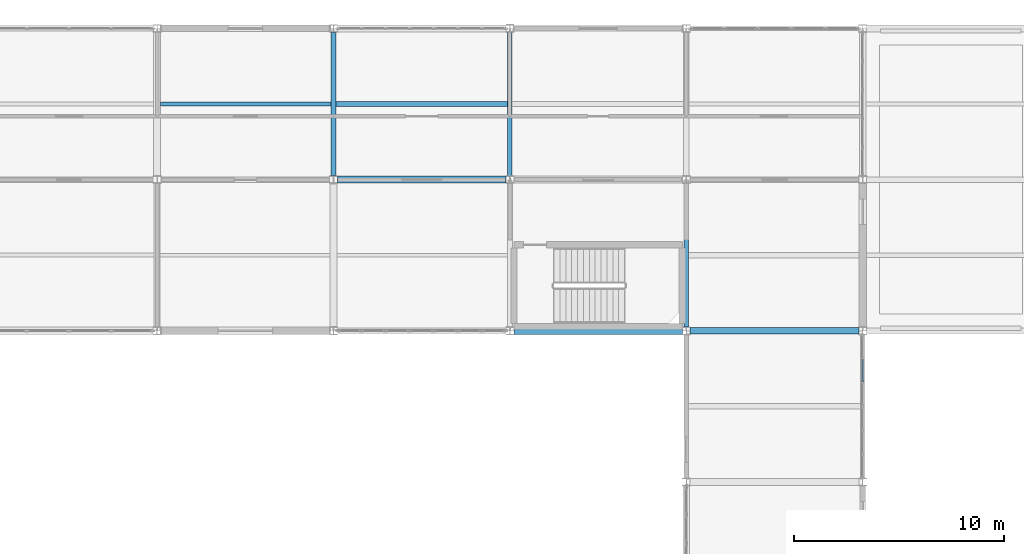
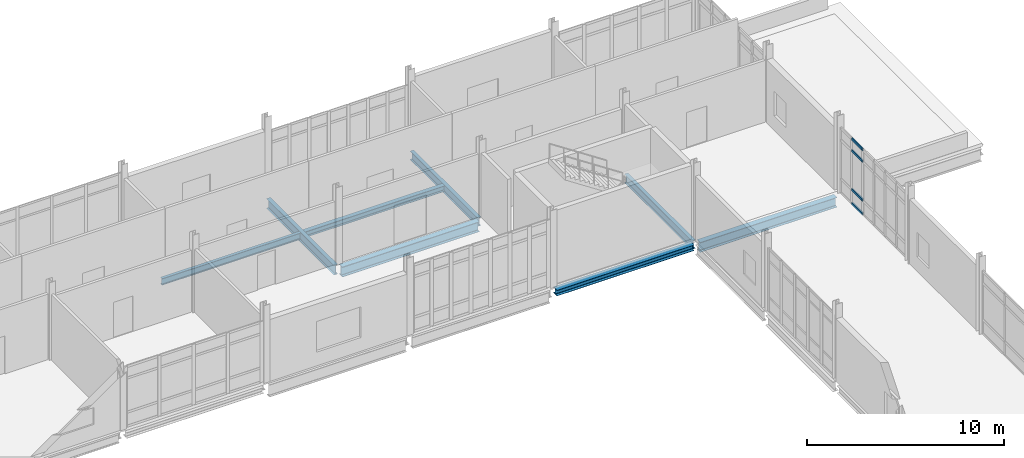
# One storey, part 89 of 186: 8 beams, 4 members, 1 element without a shape of its own.
"""IFC4 building model written with IfcOpenShell, lengths in metres."""

from ifc_helpers import new_model, si_unit, direction, frame, origin, origin_2d, place, context, subcontext, project, spatial, hollow_rectangle, i_section, extrude, material, layer, layer_set, material_profile, profile_set, type_object, element, aggregate, save


model = new_model("IFC4")

# Units and contexts
model_context = context("Model", 3, precision=1e-05, world=origin(), true_north=direction((0.0, 1.0)))
body_context = subcontext(model_context, "Body", "Model", "MODEL_VIEW")
ifc_project = project(units=[si_unit("LENGTHUNIT", "METRE"), si_unit("AREAUNIT", "SQUARE_METRE"), si_unit("VOLUMEUNIT", "CUBIC_METRE"), si_unit("PLANEANGLEUNIT", "RADIAN"), si_unit("MASSUNIT", "GRAM", prefix="KILO")], contexts=[model_context])

# Site, building, storey
site_placement = place(None, origin())
site = spatial("IfcSite", under=ifc_project, at=site_placement, CompositionType="ELEMENT")
building_placement = place(site_placement, origin())
building = spatial("IfcBuilding", under=site, at=building_placement, Name="Calvrana Isthmian Art Gallery", CompositionType="ELEMENT")
storey_placement = place(building_placement, frame((0.0, 0.0, 5.39990234375)))
storey = spatial("IfcBuildingStorey", under=building, at=storey_placement, Name="L01", CompositionType="ELEMENT", Elevation=5.39990234375)

# Beams
ifc_material_1 = material(Name="Steel ASTM A992 Gr 50", Category="steel")
ifc_material_profile_1 = material_profile(ifc_material_1, i_section(OverallWidth=0.208984375, OverallDepth=0.532958984375, WebThickness=0.01025390625, FlangeThickness=0.015625, FilletRadius=0.02099609375, at=origin_2d()), Name="W21X62")
ifc_profile_set_1 = profile_set([ifc_material_profile_1], Name="Steel ASTM A992 Gr 50")
beam_type_1 = type_object("IfcBeamType", Name="BM-G-W21X62", PredefinedType="BEAM", material=ifc_profile_set_1)
beam_1_placement = place(storey_placement, frame((46.800048828125, 105.781494140625, -0.511474609375), z_axis=(0.0, 1.0, 0.0), x_axis=(-1.0, 0.0, 0.0)))
element("IfcBeam", 1, at=beam_1_placement, inside=storey, type_object=beam_type_1, Name="Girder Y L01 07/O-P", PredefinedType="BEAM", context=body_context, shape_type="SweptSolid", body=[
    extrude(i_section(OverallWidth=0.208984375, OverallDepth=0.532958984375, WebThickness=0.01025390625, FlangeThickness=0.015625, FilletRadius=0.02099609375, at=origin_2d()), origin(), (0.0, 0.0, 1.0), 6.83447265625),
])
beam_2_placement = place(storey_placement, frame((55.199951171875, 98.58642578125, -0.511474609375), z_axis=(0.0, 1.0, 0.0), x_axis=(-1.0, 0.0, 0.0)))
element("IfcBeam", 2, at=beam_2_placement, inside=storey, type_object=beam_type_1, Name="Girder Y L01 08/N-O", PredefinedType="BEAM", context=body_context, shape_type="SweptSolid", body=[
    extrude(i_section(OverallWidth=0.208984375, OverallDepth=0.532958984375, WebThickness=0.01025390625, FlangeThickness=0.015625, FilletRadius=0.02099609375, at=origin_2d()), origin(), (0.0, 0.0, 1.0), 6.835693359375),
])
ifc_material_profile_2 = material_profile(ifc_material_1, i_section(OverallWidth=0.324951171875, OverallDepth=0.612060546875, WebThickness=0.0126953125, FlangeThickness=0.01904296875, FilletRadius=0.02197265625, at=origin_2d()), Name="W24X104")
ifc_profile_set_2 = profile_set([ifc_material_profile_2], Name="Steel ASTM A992 Gr 50")
beam_type_2 = type_object("IfcBeamType", Name="BM-G-W24X104", PredefinedType="BEAM", material=ifc_profile_set_2)
beam_3_placement = place(storey_placement, frame((55.386474609375, 98.39990234375, -0.55078125), z_axis=(1.0, 0.0, 0.0), x_axis=(0.0, 1.0, 0.0)))
element("IfcBeam", 3, at=beam_3_placement, inside=storey, type_object=beam_type_2, Name="Girder X L01 08-09/N", PredefinedType="BEAM", context=body_context, shape_type="SweptSolid", body=[
    extrude(i_section(OverallWidth=0.324951171875, OverallDepth=0.612060546875, WebThickness=0.0126953125, FlangeThickness=0.01904296875, FilletRadius=0.02197265625, at=origin_2d()), origin(), (0.0, 0.0, 1.0), 8.027099609375),
])
ifc_material_profile_3 = material_profile(ifc_material_1, i_section(OverallWidth=0.327880859375, OverallDepth=0.6220703125, WebThickness=0.015380859375, FlangeThickness=0.0244140625, FilletRadius=0.02197265625, at=origin_2d()), Name="W24X131")
ifc_profile_set_3 = profile_set([ifc_material_profile_3], Name="Steel ASTM A992 Gr 50")
beam_type_3 = type_object("IfcBeamType", Name="BM-G-W24X131", PredefinedType="BEAM", material=ifc_profile_set_3)
beam_4_placement = place(storey_placement, frame((38.58642578125, 105.60009765625, -0.555908203125), z_axis=(1.0, 0.0, 0.0), x_axis=(0.0, 1.0, 0.0)))
element("IfcBeam", 4, at=beam_4_placement, inside=storey, type_object=beam_type_3, Name="Girder X L01 06-07/O", PredefinedType="BEAM", context=body_context, shape_type="SweptSolid", body=[
    extrude(i_section(OverallWidth=0.327880859375, OverallDepth=0.6220703125, WebThickness=0.015380859375, FlangeThickness=0.0244140625, FilletRadius=0.02197265625, at=origin_2d()), origin(), (0.0, 0.0, 1.0), 8.028076171875),
])
ifc_material_profile_4 = material_profile(ifc_material_1, i_section(OverallWidth=0.22802734375, OverallDepth=0.60693359375, WebThickness=0.01123046875, FlangeThickness=0.017333984375, FilletRadius=0.02197265625, at=origin_2d()), Name="W24X76")
ifc_profile_set_4 = profile_set([ifc_material_profile_4], Name="Steel ASTM A992 Gr 50")
beam_type_4 = type_object("IfcBeamType", Name="BM-G-W24X76", PredefinedType="BEAM", material=ifc_profile_set_4)
beam_5_placement = place(storey_placement, frame((38.39990234375, 105.783935546875, -0.54833984375), z_axis=(0.0, 1.0, 0.0), x_axis=(-1.0, 0.0, 0.0)))
element("IfcBeam", 5, at=beam_5_placement, inside=storey, type_object=beam_type_4, Name="Girder Y L01 06/O-P", PredefinedType="BEAM", context=body_context, shape_type="SweptSolid", body=[
    extrude(i_section(OverallWidth=0.22802734375, OverallDepth=0.60693359375, WebThickness=0.01123046875, FlangeThickness=0.017333984375, FilletRadius=0.02197265625, at=origin_2d()), origin(), (0.0, 0.0, 1.0), 6.82958984375),
])
ifc_material_profile_5 = material_profile(ifc_material_1, i_section(OverallWidth=0.25390625, OverallDepth=0.35302734375, WebThickness=0.009521484375, FlangeThickness=0.016357421875, FilletRadius=0.01806640625, at=origin_2d()), Name="W14X61")
ifc_profile_set_5 = profile_set([ifc_material_profile_5], Name="Steel ASTM A992 Gr 50")
beam_type_5 = type_object("IfcBeamType", Name="BM-J-W14X61", PredefinedType="JOIST", material=ifc_profile_set_5)
beam_6_placement = place(storey_placement, frame((38.513916015625, 109.199951171875, -0.42138671875), z_axis=(1.0, 0.0, 0.0), x_axis=(0.0, 1.0, 0.0)))
element("IfcBeam", 6, at=beam_6_placement, inside=storey, type_object=beam_type_5, Name="Composite joist L01 bay 05-14", PredefinedType="JOIST", context=body_context, shape_type="SweptSolid", body=[
    extrude(i_section(OverallWidth=0.25390625, OverallDepth=0.35302734375, WebThickness=0.009521484375, FlangeThickness=0.016357421875, FilletRadius=0.01806640625, at=origin_2d()), origin(), (0.0, 0.0, 1.0), 8.181640625),
])
ifc_material_profile_6 = material_profile(ifc_material_1, i_section(OverallWidth=0.177978515625, OverallDepth=0.404052734375, WebThickness=0.007568359375, FlangeThickness=0.010986328125, FilletRadius=0.01806640625, at=origin_2d()), Name="W16X36")
ifc_profile_set_6 = profile_set([ifc_material_profile_6], Name="Steel ASTM A992 Gr 50")
beam_type_6 = type_object("IfcBeamType", Name="BM-J-W16X36", PredefinedType="JOIST", material=ifc_profile_set_6)
beam_7_placement = place(storey_placement, frame((30.16259765625, 109.199951171875, -0.447021484375), z_axis=(1.0, 0.0, 0.0), x_axis=(0.0, 1.0, 0.0)))
element("IfcBeam", 7, at=beam_7_placement, inside=storey, type_object=beam_type_6, Name="Composite joist L01 bay 04-14", PredefinedType="JOIST", context=body_context, shape_type="SweptSolid", body=[
    extrude(i_section(OverallWidth=0.177978515625, OverallDepth=0.404052734375, WebThickness=0.007568359375, FlangeThickness=0.010986328125, FilletRadius=0.01806640625, at=origin_2d()), origin(), (0.0, 0.0, 1.0), 8.123291015625),
])
ifc_material_profile_7 = material_profile(ifc_material_1, i_section(OverallWidth=0.367919921875, OverallDepth=0.35595703125, WebThickness=0.01123046875, FlangeThickness=0.01806640625, FilletRadius=0.02490234375, at=origin_2d()), Name="W14X90")
ifc_profile_set_7 = profile_set([ifc_material_profile_7], Name="Steel ASTM A992 Gr 50")
beam_type_7 = type_object("IfcBeamType", Name="BM-SP-W14X90", PredefinedType="SPANDREL", material=ifc_profile_set_7)
beam_8_placement = place(storey_placement, frame((46.98388671875, 98.39990234375, -0.4228515625), z_axis=(1.0, 0.0, 0.0), x_axis=(0.0, 1.0, 0.0)))
element("IfcBeam", 8, at=beam_8_placement, inside=storey, type_object=beam_type_7, Name="Girder X L01 07-08/N", PredefinedType="SPANDREL", context=body_context, shape_type="SweptSolid", body=[
    extrude(i_section(OverallWidth=0.367919921875, OverallDepth=0.35595703125, WebThickness=0.01123046875, FlangeThickness=0.01806640625, FilletRadius=0.02490234375, at=origin_2d()), origin(), (0.0, 0.0, 1.0), 8.029541015625),
])

# Curtain wall, members
ifc_material_2 = material(Name="Anodized bronze aluminium 6063-T6", Category="aluminium")
ifc_layer = layer(ifc_material_2, 0.179931640625, Name="Anodized bronze aluminium 6063-T6")
ifc_layer_set = layer_set([ifc_layer], Name="Anodized bronze aluminium 6063-T6")
curtain_wall_type = type_object("IfcCurtainWallType", Name="CW-STICK-068X41", PredefinedType="NOTDEFINED", material=ifc_layer_set)
curtain_wall_placement = place(storey_placement, origin())
curtain_wall = element("IfcCurtainWall", 9, at=curtain_wall_placement, inside=storey, type_object=curtain_wall_type, Name="Curtain wall CW-128", PredefinedType="NOTDEFINED")
ifc_material_profile_8 = material_profile(ifc_material_2, hollow_rectangle(XDim=0.070068359375, YDim=0.169921875, WallThickness=0.00439453125, at=origin_2d()), Name="CWT70X170")
ifc_profile_set_8 = profile_set([ifc_material_profile_8], Name="Anodized bronze aluminium 6063-T6")
member_type = type_object("IfcMemberType", Name="CWT-CWT70X170", PredefinedType="USERDEFINED", material=ifc_profile_set_8)
member_1_placement = place(storey_placement, frame((63.60009765625, 97.042724609375, 0.03515625), z_axis=(0.0, -1.0, 0.0), x_axis=(1.0, 0.0, 0.0)))
member_1 = element("IfcMember", 10, at=member_1_placement, type_object=member_type, Name="CW-128 transom 2.1", ObjectType="TRANSOM", PredefinedType="USERDEFINED", context=body_context, shape_type="SweptSolid", body=[
    extrude(hollow_rectangle(XDim=0.070068359375, YDim=0.169921875, WallThickness=0.00439453125, at=origin_2d()), origin(), (0.0, 0.0, 1.0), 1.0732421875),
])
member_2_placement = place(storey_placement, frame((63.60009765625, 97.042724609375, 0.900146484375), z_axis=(0.0, -1.0, 0.0), x_axis=(1.0, 0.0, 0.0)))
member_2 = element("IfcMember", 11, at=member_2_placement, type_object=member_type, Name="CW-128 transom 2.2", ObjectType="TRANSOM", PredefinedType="USERDEFINED", context=body_context, shape_type="SweptSolid", body=[
    extrude(hollow_rectangle(XDim=0.070068359375, YDim=0.169921875, WallThickness=0.00439453125, at=origin_2d()), origin(), (0.0, 0.0, 1.0), 1.0732421875),
])
member_3_placement = place(storey_placement, frame((63.60009765625, 97.042724609375, 3.30810546875), z_axis=(0.0, -1.0, 0.0), x_axis=(1.0, 0.0, 0.0)))
member_3 = element("IfcMember", 12, at=member_3_placement, type_object=member_type, Name="CW-128 transom 2.3", ObjectType="TRANSOM", PredefinedType="USERDEFINED", context=body_context, shape_type="SweptSolid", body=[
    extrude(hollow_rectangle(XDim=0.070068359375, YDim=0.169921875, WallThickness=0.00439453125, at=origin_2d()), origin(), (0.0, 0.0, 1.0), 1.0732421875),
])
member_4_placement = place(storey_placement, frame((63.60009765625, 97.042724609375, 4.023193359375), z_axis=(0.0, -1.0, 0.0), x_axis=(1.0, 0.0, 0.0)))
member_4 = element("IfcMember", 13, at=member_4_placement, type_object=member_type, Name="CW-128 transom 2.4", ObjectType="TRANSOM", PredefinedType="USERDEFINED", context=body_context, shape_type="SweptSolid", body=[
    extrude(hollow_rectangle(XDim=0.070068359375, YDim=0.169921875, WallThickness=0.00439453125, at=origin_2d()), origin(), (0.0, 0.0, 1.0), 1.0732421875),
])
aggregate(curtain_wall, [member_1, member_2, member_3, member_4])

save(model, "model.ifc")
